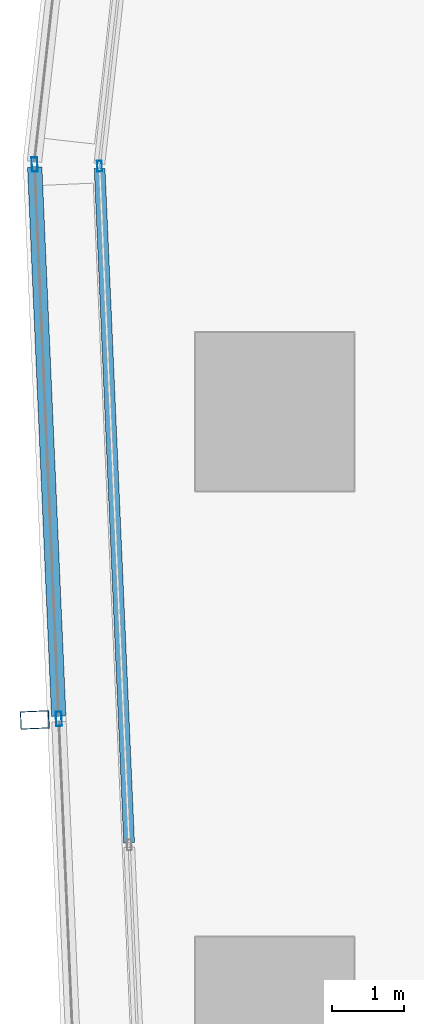
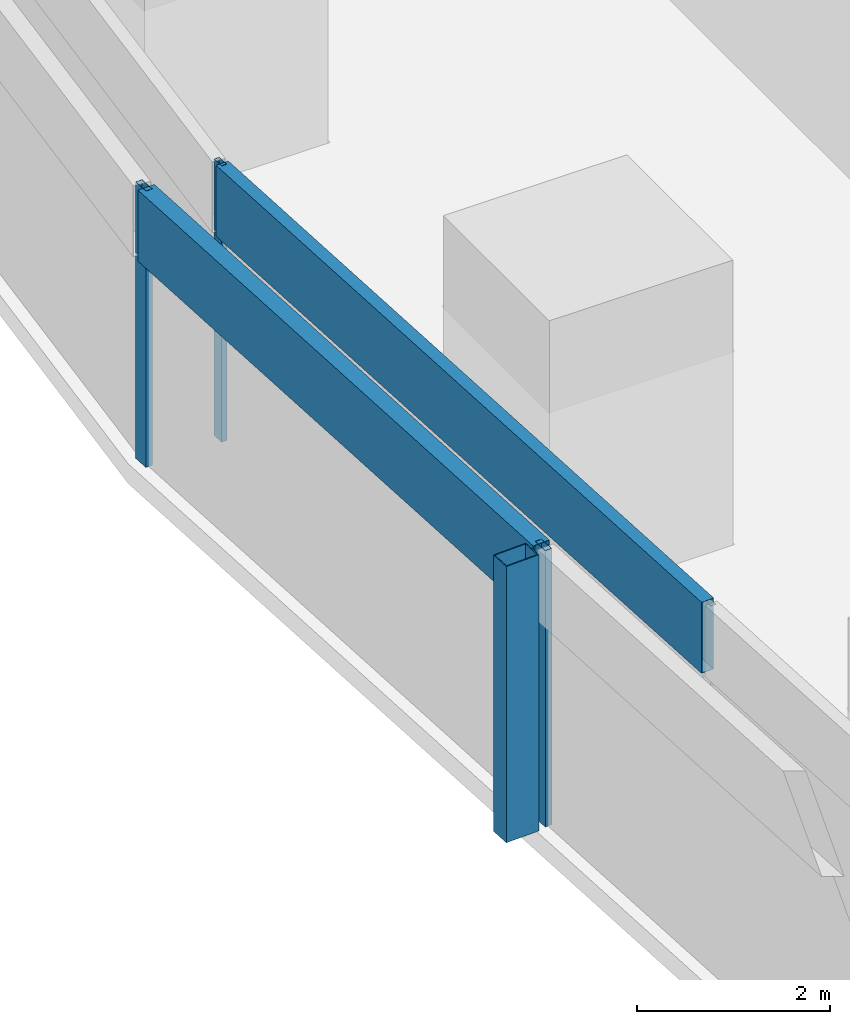
# One storey, part 14 of 44: 6 members, 2 elements without a shape of their own.
"""IFC4 building model written with IfcOpenShell, lengths in metres."""

from ifc_helpers import new_model, si_unit, direction, frame, origin, origin_2d, place, context, subcontext, project, spatial, hollow_rectangle, extrude, material, material_profile, profile_set, type_object, element, aggregate, save


model = new_model("IFC4")

# Units and contexts
model_context = context("Model", 3, precision=1e-05, world=origin(), true_north=direction((0.0, 1.0)))
body_context = subcontext(model_context, "Body", "Model", "MODEL_VIEW")
ifc_project = project(units=[si_unit("LENGTHUNIT", "METRE"), si_unit("AREAUNIT", "SQUARE_METRE"), si_unit("VOLUMEUNIT", "CUBIC_METRE"), si_unit("PLANEANGLEUNIT", "RADIAN"), si_unit("MASSUNIT", "GRAM", prefix="KILO")], contexts=[model_context])

# Site, building, storey
site_placement = place(None, origin())
site = spatial("IfcSite", under=ifc_project, at=site_placement, CompositionType="ELEMENT")
building_placement = place(site_placement, origin())
building = spatial("IfcBuilding", under=site, at=building_placement, Name="Rekha Terrace Tower", CompositionType="ELEMENT")
storey_placement = place(building_placement, frame((0.0, 0.0, 59.14990234375)))
storey = spatial("IfcBuildingStorey", under=building, at=storey_placement, Name="L14", CompositionType="ELEMENT", Elevation=59.14990234375)

# Curtain wall, member
ifc_material_1 = material(Name="Aluminium framing", Category="aluminium")
curtain_wall_type_1 = type_object("IfcCurtainWallType", Name="CW2 double skin outer glazing", PredefinedType="USERDEFINED", material=ifc_material_1)
curtain_wall_1_placement = place(storey_placement, origin())
curtain_wall_1 = element("IfcCurtainWall", 1, at=curtain_wall_1_placement, inside=storey, type_object=curtain_wall_type_1, Name="CW2 double skin outer glazing", ObjectType="DOUBLE SKIN OUTER GLAZING", PredefinedType="USERDEFINED")
ifc_material_2 = material(Name="Steel S355 with fluorocarbon finish", Category="steel")
ifc_material_profile_1 = material_profile(ifc_material_2, hollow_rectangle(XDim=0.25, YDim=0.39990234375, WallThickness=0.012451171875, at=origin_2d()), Name="RHS400x250x12.5")
ifc_profile_set_1 = profile_set([ifc_material_profile_1], Name="Steel S355 with fluorocarbon finish")
member_type_1 = type_object("IfcMemberType", Name="BL1 facade blade RHS 400 x 250", PredefinedType="USERDEFINED", material=ifc_profile_set_1)
member_1_placement = place(storey_placement, frame((5.064208984375, 37.715576171875, 0.0), z_axis=(0.0, 0.0, 1.0), x_axis=(0.04368215933, -0.999045478923, 0.0)))
member_1 = element("IfcMember", 2, at=member_1_placement, type_object=member_type_1, Name="Facade blade", ObjectType="FACADE BLADE", PredefinedType="USERDEFINED", context=body_context, shape_type="SweptSolid", body=[
    extrude(hollow_rectangle(XDim=0.25, YDim=0.39990234375, WallThickness=0.012451171875, at=origin_2d()), origin(), (0.0, 0.0, 1.0), 3.5),
])

# Curtain wall, members
curtain_wall_type_2 = type_object("IfcCurtainWallType", Name="CW1 double skin inner glazing", PredefinedType="USERDEFINED", material=ifc_material_1)
curtain_wall_2_placement = place(storey_placement, origin())
curtain_wall_2 = element("IfcCurtainWall", 3, at=curtain_wall_2_placement, inside=storey, type_object=curtain_wall_type_2, Name="CW1 double skin inner glazing", ObjectType="DOUBLE SKIN INNER GLAZING", PredefinedType="USERDEFINED")
ifc_material_3 = material(Name="Aluminium mullion section", Category="aluminium")
ifc_material_profile_2 = material_profile(ifc_material_3, hollow_rectangle(XDim=0.06494140625, YDim=0.14990234375, WallThickness=0.00390625, at=origin_2d()), Name="AL RHS 65x150")
ifc_profile_set_2 = profile_set([ifc_material_profile_2], Name="Aluminium mullion section")
member_type_2 = type_object("IfcMemberType", Name="CW1 mullion RHS 65 x 150", PredefinedType="MULLION", material=ifc_profile_set_2)
member_2_placement = place(storey_placement, frame((5.964111328125, 45.4111328125, 0.0), z_axis=(0.0, 0.0, 1.0), x_axis=(0.999045462133, 0.043682543337, 0.0)))
member_2 = element("IfcMember", 4, at=member_2_placement, type_object=member_type_2, Name="CW1 mullion 1", PredefinedType="MULLION", context=body_context, shape_type="SweptSolid", body=[
    extrude(hollow_rectangle(XDim=0.06494140625, YDim=0.14990234375, WallThickness=0.00390625, at=origin_2d()), origin(), (0.0, 0.0, 1.0), 3.5),
])
ifc_material_4 = material(Name="Insulated aluminium spandrel box", Category="aluminium")
ifc_material_profile_3 = material_profile(ifc_material_4, hollow_rectangle(XDim=0.14990234375, YDim=0.89990234375, WallThickness=0.0029296875, at=origin_2d()), Name="AL SPANDREL BOX 150x900")
ifc_profile_set_3 = profile_set([ifc_material_profile_3], Name="Insulated aluminium spandrel box")
member_type_3 = type_object("IfcMemberType", Name="CW1 spandrel transom 150 x 900", PredefinedType="USERDEFINED", material=ifc_profile_set_3)
member_3_placement = place(storey_placement, frame((5.96533203125, 45.378662109375, 3.050048828125), z_axis=(0.043689187094, -0.999045171617, 0.0), x_axis=(0.999045171617, 0.043689187094, 0.0)))
member_3 = element("IfcMember", 5, at=member_3_placement, type_object=member_type_3, Name="CW1 spandrel transom 1", ObjectType="TRANSOM", PredefinedType="USERDEFINED", context=body_context, shape_type="SweptSolid", body=[
    extrude(hollow_rectangle(XDim=0.14990234375, YDim=0.89990234375, WallThickness=0.0029296875, at=origin_2d()), origin(), (0.0, 0.0, 1.0), 9.376953125),
])
aggregate(curtain_wall_2, [member_2, member_3])

# Member
ifc_material_profile_4 = material_profile(ifc_material_3, hollow_rectangle(XDim=0.080078125, YDim=0.199951171875, WallThickness=0.00390625, at=origin_2d()), Name="AL RHS 80x200")
ifc_profile_set_4 = profile_set([ifc_material_profile_4], Name="Aluminium mullion section")
member_type_4 = type_object("IfcMemberType", Name="CW2 mullion RHS 80 x 200", PredefinedType="MULLION", material=ifc_profile_set_4)
member_4_placement = place(storey_placement, frame((5.062255859375, 45.4345703125, 0.0), z_axis=(0.0, 0.0, 1.0), x_axis=(0.999045462131, 0.043682543372, 0.0)))
member_4 = element("IfcMember", 6, at=member_4_placement, type_object=member_type_4, Name="CW2 mullion 1", PredefinedType="MULLION", context=body_context, shape_type="SweptSolid", body=[
    extrude(hollow_rectangle(XDim=0.080078125, YDim=0.199951171875, WallThickness=0.00390625, at=origin_2d()), origin(), (0.0, 0.0, 1.0), 3.5),
])

member_5_placement = place(storey_placement, frame((5.39892578125, 37.730224609375, 0.0), z_axis=(0.0, 0.0, 1.0), x_axis=(0.999045462131, 0.043682543372, 0.0)))
member_5 = element("IfcMember", 7, at=member_5_placement, type_object=member_type_4, Name="CW2 mullion 2", PredefinedType="MULLION", context=body_context, shape_type="SweptSolid", body=[
    extrude(hollow_rectangle(XDim=0.080078125, YDim=0.199951171875, WallThickness=0.00390625, at=origin_2d()), origin(), (0.0, 0.0, 1.0), 3.5),
])

ifc_material_profile_5 = material_profile(ifc_material_4, hollow_rectangle(XDim=0.199951171875, YDim=0.89990234375, WallThickness=0.0029296875, at=origin_2d()), Name="AL SPANDREL BOX 200x900")
ifc_profile_set_5 = profile_set([ifc_material_profile_5], Name="Insulated aluminium spandrel box")
member_type_5 = type_object("IfcMemberType", Name="CW2 spandrel transom 200 x 900", PredefinedType="USERDEFINED", material=ifc_profile_set_5)
member_6_placement = place(storey_placement, frame((5.06396484375, 45.39453125, 3.050048828125), z_axis=(0.043666283256, -0.99904617296, 0.0), x_axis=(0.99904617296, 0.043666283256, 0.0)))
member_6 = element("IfcMember", 8, at=member_6_placement, type_object=member_type_5, Name="CW2 spandrel transom 1", ObjectType="TRANSOM", PredefinedType="USERDEFINED", context=body_context, shape_type="SweptSolid", body=[
    extrude(hollow_rectangle(XDim=0.199951171875, YDim=0.89990234375, WallThickness=0.0029296875, at=origin_2d()), origin(), (0.0, 0.0, 1.0), 7.6318359375),
])

aggregate(curtain_wall_1, [member_4, member_5, member_6, member_1])

save(model, "model.ifc")
